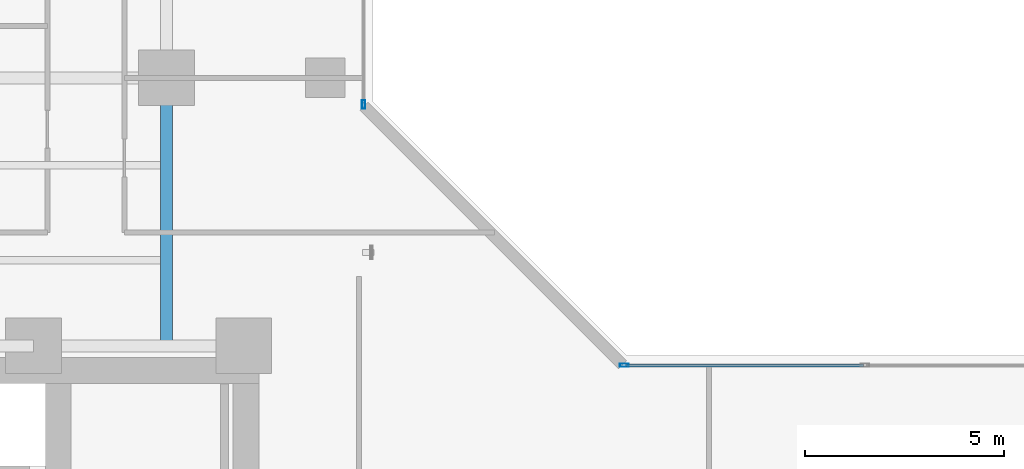
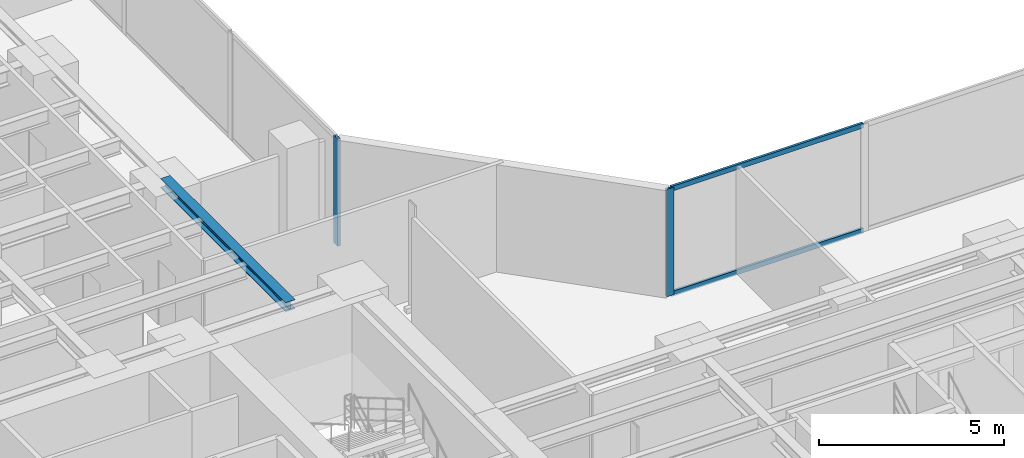
# One storey, part 9 of 24: 4 members, 1 beam, 2 elements without a shape of their own.
"""IFC4 building model written with IfcOpenShell, lengths in metres."""

from ifc_helpers import new_model, si_unit, direction, frame, origin, origin_with_axes, origin_2d, place, context, subcontext, project, spatial, hollow_rectangle, i_section, extrude, source, transform, mapped, material, layer, layer_set, material_profile, profile_set, type_object, element, aggregate, save


model = new_model("IFC4")

# Units and contexts
model_context = context("Model", 3, precision=1e-05, world=origin(), true_north=direction((0.0, 1.0)))
body_context = subcontext(model_context, "Body", "Model", "MODEL_VIEW")
ifc_project = project(units=[si_unit("LENGTHUNIT", "METRE"), si_unit("AREAUNIT", "SQUARE_METRE"), si_unit("VOLUMEUNIT", "CUBIC_METRE"), si_unit("PLANEANGLEUNIT", "RADIAN"), si_unit("MASSUNIT", "GRAM", prefix="KILO")], contexts=[model_context])

# Site, building, storey
site_placement = place(None, origin())
site = spatial("IfcSite", under=ifc_project, at=site_placement, CompositionType="ELEMENT")
building_placement = place(site_placement, origin())
building = spatial("IfcBuilding", under=site, at=building_placement, Name="Kolvaren Waterfront Exchange", CompositionType="ELEMENT")
storey_placement = place(building_placement, frame((0.0, 0.0, 91.699951171875)))
storey = spatial("IfcBuildingStorey", under=building, at=storey_placement, Name="L23", CompositionType="ELEMENT", Elevation=91.699951171875)

# Beam
ifc_material_1 = material(Name="Steel S355", Category="steel")
ifc_material_profile_1 = material_profile(ifc_material_1, i_section(OverallWidth=0.300048828125, OverallDepth=0.300048828125, WebThickness=0.010986328125, FlangeThickness=0.01904296875, FilletRadius=0.027099609375, at=origin_2d()), Name="HEB300")
ifc_profile_set_1 = profile_set([ifc_material_profile_1], Name="Steel S355")
beam_type = type_object("IfcBeamType", Name="STR-BM-HEB300", PredefinedType="SPANDREL", material=ifc_profile_set_1)
beam_placement = place(storey_placement, frame((18.800048828125, 24.449951171875, 3.39013671875), z_axis=(0.0, 1.0, 0.0), x_axis=(-1.0, 0.0, 0.0)))
element("IfcBeam", 1, at=beam_placement, inside=storey, type_object=beam_type, Name="L23 north-arm edge beam 1", PredefinedType="SPANDREL", context=body_context, shape_type="SweptSolid", body=[
    extrude(i_section(OverallWidth=0.300048828125, OverallDepth=0.300048828125, WebThickness=0.010986328125, FlangeThickness=0.01904296875, FilletRadius=0.027099609375, at=origin_2d()), origin(), (0.0, 0.0, 1.0), 6.75),
])

# Curtain wall, member
ifc_material_2 = material(Name="Anodised bronze aluminium 6063-T6", Category="aluminium")
ifc_layer = layer(ifc_material_2, 0.219970703125, Name="Anodised bronze aluminium 6063-T6")
ifc_layer_set = layer_set([ifc_layer], Name="Anodised bronze aluminium 6063-T6")
curtain_wall_type = type_object("IfcCurtainWallType", Name="ARC-CW-SYS1", PredefinedType="USERDEFINED", material=ifc_layer_set)
curtain_wall_1_placement = place(storey_placement, origin())
curtain_wall_1 = element("IfcCurtainWall", 2, at=curtain_wall_1_placement, inside=storey, type_object=curtain_wall_type, Name="L23 stick curtain wall CW1 (CW-L23-NE)", ObjectType="STICK CURTAIN WALL", PredefinedType="USERDEFINED")
ifc_material_3 = material(Name="Anodised aluminium 6063-T6", Category="aluminium")
ifc_material_profile_2 = material_profile(ifc_material_3, hollow_rectangle(XDim=0.080078125, YDim=0.219970703125, WallThickness=0.0048828125, at=origin_2d()), Name="ALU-MUL-220x80x5")
ifc_profile_set_2 = profile_set([ifc_material_profile_2], Name="Anodised aluminium 6063-T6")
member_type_1 = type_object("IfcMemberType", Name="ARC-CWM-220", PredefinedType="MULLION", material=ifc_profile_set_2)
shared_shape_1 = source(origin_with_axes(), body_context, "Body", "SweptSolid", [
    extrude(hollow_rectangle(XDim=0.080078125, YDim=0.219970703125, WallThickness=0.0048828125, at=origin_2d()), origin(), (0.0, 0.0, 1.0), 3.5400390625),
])
member_1_placement = place(storey_placement, frame((23.760009765625, 30.530029296875, 0.0), z_axis=(0.0, 0.0, 1.0), x_axis=(-1.0, 0.0, 0.0)))
member_1 = element("IfcMember", 3, at=member_1_placement, type_object=member_type_1, Name="CW1 mullion 1", PredefinedType="MULLION", context=body_context, shape_type="MappedRepresentation", body=[
    mapped(shared_shape_1, transform((0.0, 0.0, 0.0), x_axis=(1.0, 0.0, 0.0), y_axis=(0.0, 1.0, 0.0), z_axis=(0.0, 0.0, 1.0), scale=1.0)),
])
aggregate(curtain_wall_1, [member_1])

# Curtain wall, members
curtain_wall_2_placement = place(storey_placement, origin())
curtain_wall_2 = element("IfcCurtainWall", 4, at=curtain_wall_2_placement, inside=storey, type_object=curtain_wall_type, Name="L23 stick curtain wall CW1 (CW-L23-EN)", ObjectType="STICK CURTAIN WALL", PredefinedType="USERDEFINED")
member_2_placement = place(storey_placement, frame((30.330078125, 23.9599609375, 0.0), z_axis=(0.0, 0.0, 1.0), x_axis=(0.0, 1.0, 0.0)))
member_2 = element("IfcMember", 5, at=member_2_placement, type_object=member_type_1, Name="CW1 mullion 1", PredefinedType="MULLION", context=body_context, shape_type="MappedRepresentation", body=[
    mapped(shared_shape_1, transform((0.0, 0.0, 0.0), x_axis=(1.0, 0.0, 0.0), y_axis=(0.0, 1.0, 0.0), z_axis=(0.0, 0.0, 1.0), scale=1.0)),
])
ifc_material_profile_3 = material_profile(ifc_material_3, hollow_rectangle(XDim=0.074951171875, YDim=0.159912109375, WallThickness=0.00439453125, at=origin_2d()), Name="ALU-TRN-160x75x4.5")
ifc_profile_set_3 = profile_set([ifc_material_profile_3], Name="Anodised aluminium 6063-T6")
member_type_2 = type_object("IfcMemberType", Name="ARC-CWT-160", PredefinedType="USERDEFINED", material=ifc_profile_set_3)
shared_shape_2 = source(origin_with_axes(), body_context, "Body", "SweptSolid", [
    extrude(hollow_rectangle(XDim=0.074951171875, YDim=0.159912109375, WallThickness=0.00439453125, at=origin_2d()), origin(), (0.0, 0.0, 1.0), 5.982421875),
])
member_3_placement = place(storey_placement, frame((30.3701171875, 23.9599609375, 0.03759765625), z_axis=(1.0, 0.0, 0.0), x_axis=(0.0, 1.0, 0.0)))
member_3 = element("IfcMember", 6, at=member_3_placement, type_object=member_type_2, Name="CW1 transom 1.1", ObjectType="TRANSOM", PredefinedType="USERDEFINED", context=body_context, shape_type="MappedRepresentation", body=[
    mapped(shared_shape_2, transform((0.0, 0.0, 0.0), x_axis=(1.0, 0.0, 0.0), y_axis=(0.0, 1.0, 0.0), z_axis=(0.0, 0.0, 1.0), scale=1.0)),
])
member_4_placement = place(storey_placement, frame((30.3701171875, 23.9599609375, 3.50244140625), z_axis=(1.0, 0.0, 0.0), x_axis=(0.0, 1.0, 0.0)))
member_4 = element("IfcMember", 7, at=member_4_placement, type_object=member_type_2, Name="CW1 transom 1.2", ObjectType="TRANSOM", PredefinedType="USERDEFINED", context=body_context, shape_type="MappedRepresentation", body=[
    mapped(shared_shape_2, transform((0.0, 0.0, 0.0), x_axis=(1.0, 0.0, 0.0), y_axis=(0.0, 1.0, 0.0), z_axis=(0.0, 0.0, 1.0), scale=1.0)),
])
aggregate(curtain_wall_2, [member_2, member_3, member_4])

save(model, "model.ifc")
